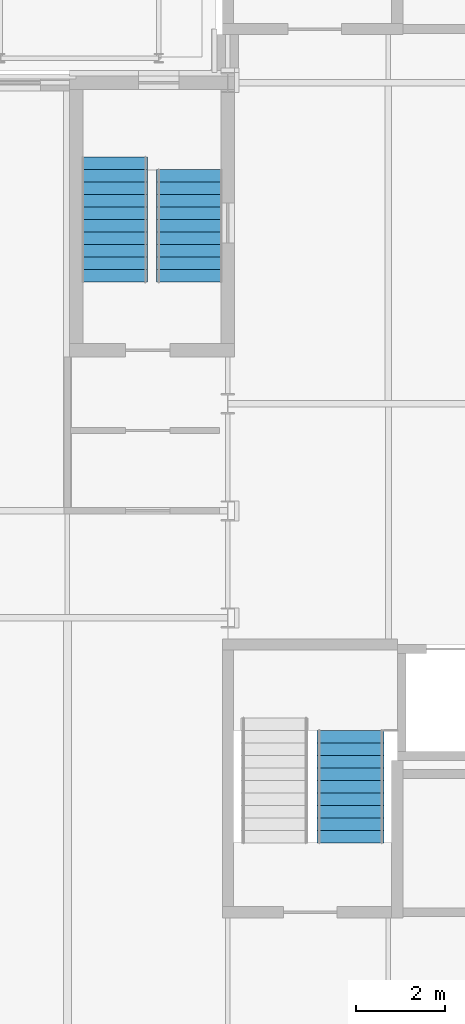
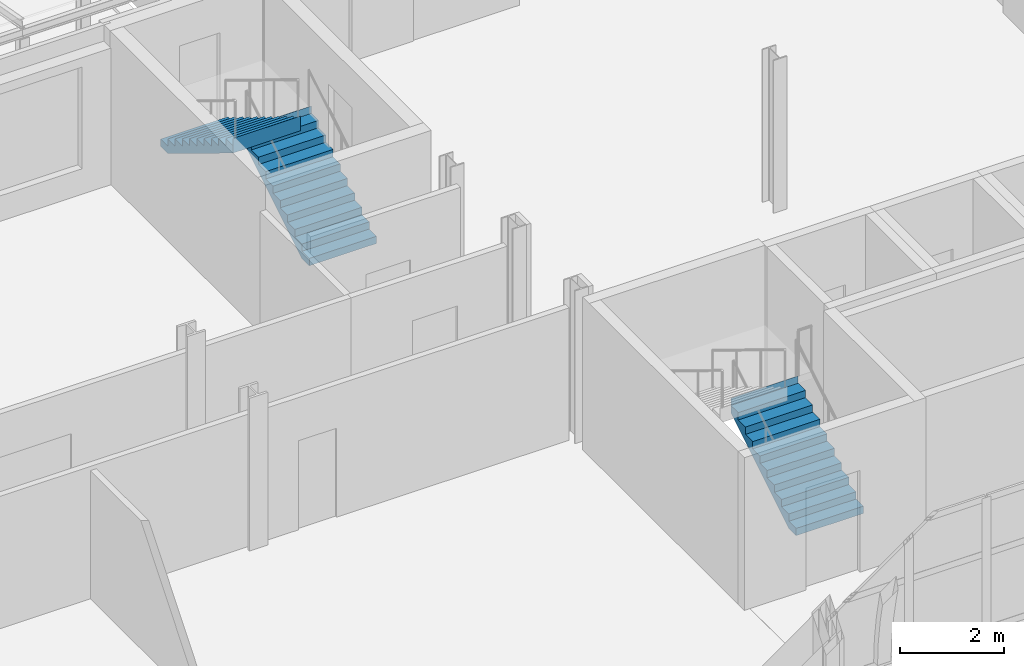
# One storey, part 101 of 143: 3 stair flights, 2 elements without a shape of their own.
"""IFC4 building model written with IfcOpenShell, lengths in metres."""

from ifc_helpers import new_model, si_unit, direction, frame, origin, place, context, subcontext, project, spatial, polyline, outline, extrude, material, type_object, element, aggregate, save


model = new_model("IFC4")

# Units and contexts
model_context = context("Model", 3, precision=1e-05, world=origin(), true_north=direction((0.0, 1.0)))
body_context = subcontext(model_context, "Body", "Model", "MODEL_VIEW")
ifc_project = project(units=[si_unit("LENGTHUNIT", "METRE"), si_unit("AREAUNIT", "SQUARE_METRE"), si_unit("VOLUMEUNIT", "CUBIC_METRE"), si_unit("PLANEANGLEUNIT", "RADIAN"), si_unit("MASSUNIT", "GRAM", prefix="KILO")], contexts=[model_context])

# Site, building, storey
site_placement = place(None, origin())
site = spatial("IfcSite", under=ifc_project, at=site_placement, CompositionType="ELEMENT")
building_placement = place(site_placement, origin())
building = spatial("IfcBuilding", under=site, at=building_placement, Name="Kupolbacken Congress Centre", CompositionType="ELEMENT")
storey_placement = place(building_placement, frame((0.0, 0.0, 7.199951171875)))
storey = spatial("IfcBuildingStorey", under=building, at=storey_placement, Name="L02", CompositionType="ELEMENT", Elevation=7.199951171875)

# Stair, stair flight
ifc_material_1 = material(Name="Steel S355", Category="steel")
stair_type = type_object("IfcStairType", Name="ST2 stair 1500", PredefinedType="TWO_STRAIGHT_RUN_STAIR", material=ifc_material_1)
stair_1_placement = place(storey_placement, origin())
stair_1 = element("IfcStair", 1, at=stair_1_placement, inside=storey, type_object=stair_type, Name="C/stair/TS4/L02", PredefinedType="NOTDEFINED")
ifc_material_2 = material(Name="Steel S355", Category="steel")
stair_flight_type_1 = type_object("IfcStairFlightType", Name="FL3 stair flight 1500 x 10 risers", PredefinedType="STRAIGHT", material=ifc_material_2)
stair_flight_1_placement = place(storey_placement, frame((135.949951171875, 139.530029296875, 0.0), z_axis=(0.0, 0.0, 1.0), x_axis=(0.0, 1.0, 0.0)))
stair_flight_1 = element("IfcStairFlight", 2, at=stair_flight_1_placement, type_object=stair_flight_type_1, Name="TS4 flight 1", NumberOfRisers=10, NumberOfTreads=9, PredefinedType="STRAIGHT", RiserHeight=0.171428571, TreadLength=0.28, context=body_context, shape_type="SweptSolid", body=[
    extrude(outline(polyline([(0.0, 0.0), (0.0, 0.0009765625), (0.0, 0.002197265625), (0.0, 0.003173828125), (0.0, 0.004150390625), (0.0, 0.00537109375), (0.0, 0.00634765625), (0.0, 0.007568359375), (0.0, 0.008544921875), (0.0, 0.009521484375), (0.0, 0.0107421875), (0.0, 0.01171875), (0.0, 0.0126953125), (0.0, 0.013916015625), (0.0, 0.014892578125), (0.0, 0.015869140625), (0.0, 0.01708984375), (0.0, 0.01806640625), (0.0, 0.019287109375), (0.0, 0.020263671875), (0.0, 0.021240234375), (0.0, 0.0224609375), (0.0, 0.0234375), (0.0, 0.0244140625), (0.0, 0.025634765625), (0.0, 0.026611328125), (0.0, 0.027587890625), (0.0, 0.02880859375), (0.0, 0.02978515625), (0.0, 0.03076171875), (0.0, 0.031982421875), (0.0, 0.032958984375), (0.0, 0.0341796875), (0.0, 0.03515625), (0.0, 0.0361328125), (0.0, 0.037353515625), (0.0, 0.038330078125), (0.0, 0.039306640625), (0.0, 0.04052734375), (0.0, 0.04150390625), (0.0, 0.04248046875), (0.0, 0.043701171875), (0.0, 0.044677734375), (0.0, 0.0458984375), (0.0, 0.046875), (0.0, 0.0478515625), (0.0, 0.049072265625), (0.0, 0.050048828125), (0.0, 0.051025390625), (0.0, 0.05224609375), (0.0, 0.05322265625), (0.0, 0.05419921875), (0.0, 0.055419921875), (0.0, 0.056396484375), (0.0, 0.0576171875), (0.0, 0.05859375), (0.0, 0.0595703125), (0.0, 0.060791015625), (0.0, 0.061767578125), (0.0, 0.062744140625), (0.0, 0.06396484375), (0.0, 0.06494140625), (0.0, 0.06591796875), (0.0, 0.067138671875), (0.0, 0.068115234375), (0.0, 0.069091796875), (0.0, 0.0703125), (0.0, 0.0712890625), (0.0, 0.072509765625), (0.0, 0.073486328125), (0.0, 0.074462890625), (0.0, 0.07568359375), (0.0, 0.07666015625), (0.0, 0.07763671875), (0.0, 0.078857421875), (0.0, 0.079833984375), (0.0, 0.080810546875), (0.0, 0.08203125), (0.0, 0.0830078125), (0.0, 0.084228515625), (0.0, 0.085205078125), (0.0, 0.086181640625), (0.0, 0.08740234375), (0.0, 0.08837890625), (0.0, 0.08935546875), (0.0, 0.090576171875), (0.0, 0.091552734375), (0.0, 0.092529296875), (0.0, 0.09375), (0.0, 0.0947265625), (0.0, 0.095947265625), (0.0, 0.096923828125), (0.0, 0.097900390625), (0.0, 0.09912109375), (0.0, 0.10009765625), (0.0, 0.10107421875), (0.0, 0.102294921875), (0.0, 0.103271484375), (0.0, 0.104248046875), (0.0, 0.10546875), (0.0, 0.1064453125), (0.0, 0.107421875), (0.0, 0.108642578125), (0.0, 0.109619140625), (0.0, 0.11083984375), (0.0, 0.11181640625), (0.0, 0.11279296875), (0.0, 0.114013671875), (0.0, 0.114990234375), (0.0, 0.115966796875), (0.0, 0.1171875), (0.0, 0.1181640625), (0.0, 0.119140625), (0.0, 0.120361328125), (0.0, 0.121337890625), (0.0, 0.12255859375), (0.0, 0.12353515625), (0.0, 0.12451171875), (0.0, 0.125732421875), (0.0, 0.126708984375), (0.0, 0.127685546875), (0.0, 0.12890625), (0.0, 0.1298828125), (0.0, 0.130859375), (0.0, 0.132080078125), (0.0, 0.133056640625), (0.0, 0.13427734375), (0.0, 0.13525390625), (0.0, 0.13623046875), (0.0, 0.137451171875), (0.0, 0.138427734375), (0.0, 0.139404296875), (0.0, 0.140625), (0.0, 0.1416015625), (0.0, 0.142578125), (0.0, 0.143798828125), (0.0, 0.144775390625), (0.0, 0.145751953125), (0.0, 0.14697265625), (0.0, 0.14794921875), (0.0, 0.149169921875), (0.0, 0.150146484375), (0.0, 0.151123046875), (0.0, 0.15234375), (0.0, 0.1533203125), (0.0, 0.154296875), (0.0, 0.155517578125), (0.0, 0.156494140625), (0.0, 0.157470703125), (0.0, 0.15869140625), (0.0, 0.15966796875), (0.0, 0.160888671875), (0.0, 0.161865234375), (0.0, 0.162841796875), (0.0, 0.1640625), (0.0, 0.1650390625), (0.0, 0.166015625), (0.0, 0.167236328125), (0.0, 0.168212890625), (0.0, 0.169189453125), (0.0, 0.17041015625), (0.0, 0.17138671875), (0.280029296875, 0.17138671875), (0.280029296875, 0.3427734375), (0.56005859375, 0.3427734375), (0.56005859375, 0.514404296875), (0.840087890625, 0.514404296875), (0.840087890625, 0.685791015625), (1.1201171875, 0.685791015625), (1.1201171875, 0.857177734375), (1.39990234375, 0.857177734375), (1.39990234375, 1.028564453125), (1.679931640625, 1.028564453125), (1.679931640625, 1.199951171875), (1.9599609375, 1.199951171875), (1.9599609375, 1.371337890625), (2.239990234375, 1.371337890625), (2.239990234375, 1.54296875), (2.52001953125, 1.54296875), (2.52001953125, 1.71435546875), (2.52197265625, 1.71435546875), (2.52197265625, 1.712158203125), (2.52197265625, 1.7099609375), (2.52197265625, 1.707763671875), (2.52197265625, 1.70556640625), (2.52197265625, 1.70361328125), (2.52197265625, 1.701416015625), (2.52197265625, 1.69921875), (2.52197265625, 1.697021484375), (2.52197265625, 1.69482421875), (2.52197265625, 1.692626953125), (2.52197265625, 1.690673828125), (2.52197265625, 1.6884765625), (2.52197265625, 1.686279296875), (2.52197265625, 1.68408203125), (2.52197265625, 1.681884765625), (2.52197265625, 1.6796875), (2.52197265625, 1.677734375), (2.52197265625, 1.675537109375), (2.52197265625, 1.67333984375), (2.52197265625, 1.671142578125), (2.52197265625, 1.6689453125), (2.52197265625, 1.666748046875), (2.52197265625, 1.664794921875), (2.52197265625, 1.66259765625), (2.52197265625, 1.660400390625), (2.52197265625, 1.658203125), (2.52197265625, 1.656005859375), (2.52197265625, 1.65380859375), (2.52197265625, 1.65185546875), (2.52197265625, 1.649658203125), (2.52197265625, 1.6474609375), (2.52197265625, 1.645263671875), (2.52197265625, 1.64306640625), (2.52197265625, 1.640869140625), (2.52197265625, 1.638916015625), (2.52197265625, 1.63671875), (2.52197265625, 1.634521484375), (2.52197265625, 1.63232421875), (2.52197265625, 1.630126953125), (2.52197265625, 1.6279296875), (2.52197265625, 1.6259765625), (2.52197265625, 1.623779296875), (2.52197265625, 1.62158203125), (2.52197265625, 1.619384765625), (2.52197265625, 1.6171875), (2.52197265625, 1.614990234375), (2.52197265625, 1.613037109375), (2.52197265625, 1.61083984375), (2.52197265625, 1.608642578125), (2.52197265625, 1.6064453125), (2.52197265625, 1.604248046875), (2.52197265625, 1.60205078125), (2.52197265625, 1.60009765625), (2.52197265625, 1.597900390625), (2.52197265625, 1.595703125), (2.52197265625, 1.593505859375), (2.52197265625, 1.59130859375), (2.52197265625, 1.589111328125), (2.52197265625, 1.587158203125), (2.52197265625, 1.5849609375), (2.52197265625, 1.582763671875), (2.52197265625, 1.58056640625), (2.52197265625, 1.578369140625), (2.52197265625, 1.576171875), (2.52197265625, 1.57421875), (2.52197265625, 1.572021484375), (2.52197265625, 1.56982421875), (2.52197265625, 1.567626953125), (2.52197265625, 1.5654296875), (2.52197265625, 1.563232421875), (2.52197265625, 1.561279296875), (2.52197265625, 1.55908203125), (2.52197265625, 1.556884765625), (2.52197265625, 1.5546875), (2.52197265625, 1.552490234375), (2.52197265625, 1.55029296875), (2.52197265625, 1.54833984375), (2.52197265625, 1.546142578125), (2.52197265625, 1.5439453125), (2.52197265625, 1.541748046875), (2.52197265625, 1.53955078125), (2.52197265625, 1.537353515625), (2.52197265625, 1.535400390625), (2.52197265625, 1.533203125), (2.52197265625, 1.531005859375), (2.52197265625, 1.52880859375), (2.52197265625, 1.526611328125), (2.52197265625, 1.5244140625), (2.52197265625, 1.5224609375), (2.52197265625, 1.520263671875), (2.52197265625, 1.51806640625), (2.52197265625, 1.515869140625), (2.52197265625, 1.513671875), (2.52197265625, 1.511474609375), (2.52197265625, 1.509521484375), (2.52197265625, 1.50732421875), (2.52197265625, 1.505126953125), (2.52197265625, 1.5029296875), (2.52197265625, 1.500732421875), (2.52197265625, 1.49853515625), (2.52197265625, 1.49658203125), (2.52197265625, 1.494384765625), (2.52197265625, 1.4921875), (2.52197265625, 1.489990234375), (2.52197265625, 1.48779296875), (2.52197265625, 1.485595703125), (2.52197265625, 1.483642578125), (2.52197265625, 1.4814453125), (2.52197265625, 1.479248046875), (2.52197265625, 1.47705078125), (2.52197265625, 1.474853515625), (2.52197265625, 1.47265625), (2.52197265625, 1.470703125), (2.52197265625, 1.468505859375), (2.52197265625, 1.46630859375), (2.52197265625, 1.464111328125), (2.52197265625, 1.4619140625), (2.52197265625, 1.459716796875), (2.52197265625, 1.457763671875), (2.52197265625, 1.45556640625), (2.52197265625, 1.453369140625), (2.52197265625, 1.451171875), (2.52197265625, 1.448974609375), (2.52197265625, 1.44677734375), (2.52197265625, 1.44482421875), (2.52197265625, 1.442626953125), (2.52197265625, 1.4404296875), (2.52197265625, 1.438232421875), (2.52197265625, 1.43603515625), (2.52197265625, 1.433837890625), (2.52197265625, 1.431884765625), (2.52197265625, 1.4296875), (2.52197265625, 1.427490234375), (2.52197265625, 1.42529296875), (2.52197265625, 1.423095703125), (2.52197265625, 1.4208984375), (2.52197265625, 1.4189453125), (2.52197265625, 1.416748046875), (2.52197265625, 1.41455078125), (2.52197265625, 1.412353515625), (2.52197265625, 1.41015625), (2.52197265625, 1.407958984375), (2.52197265625, 1.406005859375), (2.52197265625, 1.40380859375), (2.52197265625, 1.401611328125), (2.52197265625, 1.3994140625), (2.52197265625, 1.397216796875), (2.52197265625, 1.39501953125), (2.52197265625, 1.39306640625), (2.52197265625, 1.390869140625), (2.52197265625, 1.388671875), (2.52197265625, 1.386474609375), (2.52197265625, 1.38427734375), (2.52197265625, 1.382080078125), (2.52197265625, 1.380126953125), (2.52197265625, 1.3779296875), (2.52197265625, 1.375732421875), (2.52197265625, 1.37353515625), (2.52197265625, 1.371337890625), (2.52197265625, 1.369140625), (2.52197265625, 1.3671875), (0.2890625, 0.0), (0.0, 0.0)])), frame((0.0, 0.75, 0.0), z_axis=(0.0, -1.0, 0.0), x_axis=(1.0, 0.0, 0.0)), (0.0, 0.0, 1.0), 1.5),
])

stair_2_placement = place(storey_placement, origin())
stair_2 = element("IfcStair", 3, at=stair_2_placement, inside=storey, type_object=stair_type, Name="C/stair/BS1/L02", PredefinedType="NOTDEFINED")
stair_flight_2_placement = place(storey_placement, frame((139.550048828125, 126.955078125, 0.0), z_axis=(0.0, 0.0, 1.0), x_axis=(0.0, 1.0, 0.0)))
stair_flight_2 = element("IfcStairFlight", 4, at=stair_flight_2_placement, type_object=stair_flight_type_1, Name="BS1 flight 1", NumberOfRisers=10, NumberOfTreads=9, PredefinedType="STRAIGHT", RiserHeight=0.171428571, TreadLength=0.28, context=body_context, shape_type="SweptSolid", body=[
    extrude(outline(polyline([(0.0, 0.0), (0.0, 0.0009765625), (0.0, 0.002197265625), (0.0, 0.003173828125), (0.0, 0.004150390625), (0.0, 0.00537109375), (0.0, 0.00634765625), (0.0, 0.007568359375), (0.0, 0.008544921875), (0.0, 0.009521484375), (0.0, 0.0107421875), (0.0, 0.01171875), (0.0, 0.0126953125), (0.0, 0.013916015625), (0.0, 0.014892578125), (0.0, 0.015869140625), (0.0, 0.01708984375), (0.0, 0.01806640625), (0.0, 0.019287109375), (0.0, 0.020263671875), (0.0, 0.021240234375), (0.0, 0.0224609375), (0.0, 0.0234375), (0.0, 0.0244140625), (0.0, 0.025634765625), (0.0, 0.026611328125), (0.0, 0.027587890625), (0.0, 0.02880859375), (0.0, 0.02978515625), (0.0, 0.03076171875), (0.0, 0.031982421875), (0.0, 0.032958984375), (0.0, 0.0341796875), (0.0, 0.03515625), (0.0, 0.0361328125), (0.0, 0.037353515625), (0.0, 0.038330078125), (0.0, 0.039306640625), (0.0, 0.04052734375), (0.0, 0.04150390625), (0.0, 0.04248046875), (0.0, 0.043701171875), (0.0, 0.044677734375), (0.0, 0.0458984375), (0.0, 0.046875), (0.0, 0.0478515625), (0.0, 0.049072265625), (0.0, 0.050048828125), (0.0, 0.051025390625), (0.0, 0.05224609375), (0.0, 0.05322265625), (0.0, 0.05419921875), (0.0, 0.055419921875), (0.0, 0.056396484375), (0.0, 0.0576171875), (0.0, 0.05859375), (0.0, 0.0595703125), (0.0, 0.060791015625), (0.0, 0.061767578125), (0.0, 0.062744140625), (0.0, 0.06396484375), (0.0, 0.06494140625), (0.0, 0.06591796875), (0.0, 0.067138671875), (0.0, 0.068115234375), (0.0, 0.069091796875), (0.0, 0.0703125), (0.0, 0.0712890625), (0.0, 0.072509765625), (0.0, 0.073486328125), (0.0, 0.074462890625), (0.0, 0.07568359375), (0.0, 0.07666015625), (0.0, 0.07763671875), (0.0, 0.078857421875), (0.0, 0.079833984375), (0.0, 0.080810546875), (0.0, 0.08203125), (0.0, 0.0830078125), (0.0, 0.084228515625), (0.0, 0.085205078125), (0.0, 0.086181640625), (0.0, 0.08740234375), (0.0, 0.08837890625), (0.0, 0.08935546875), (0.0, 0.090576171875), (0.0, 0.091552734375), (0.0, 0.092529296875), (0.0, 0.09375), (0.0, 0.0947265625), (0.0, 0.095947265625), (0.0, 0.096923828125), (0.0, 0.097900390625), (0.0, 0.09912109375), (0.0, 0.10009765625), (0.0, 0.10107421875), (0.0, 0.102294921875), (0.0, 0.103271484375), (0.0, 0.104248046875), (0.0, 0.10546875), (0.0, 0.1064453125), (0.0, 0.107421875), (0.0, 0.108642578125), (0.0, 0.109619140625), (0.0, 0.11083984375), (0.0, 0.11181640625), (0.0, 0.11279296875), (0.0, 0.114013671875), (0.0, 0.114990234375), (0.0, 0.115966796875), (0.0, 0.1171875), (0.0, 0.1181640625), (0.0, 0.119140625), (0.0, 0.120361328125), (0.0, 0.121337890625), (0.0, 0.12255859375), (0.0, 0.12353515625), (0.0, 0.12451171875), (0.0, 0.125732421875), (0.0, 0.126708984375), (0.0, 0.127685546875), (0.0, 0.12890625), (0.0, 0.1298828125), (0.0, 0.130859375), (0.0, 0.132080078125), (0.0, 0.133056640625), (0.0, 0.13427734375), (0.0, 0.13525390625), (0.0, 0.13623046875), (0.0, 0.137451171875), (0.0, 0.138427734375), (0.0, 0.139404296875), (0.0, 0.140625), (0.0, 0.1416015625), (0.0, 0.142578125), (0.0, 0.143798828125), (0.0, 0.144775390625), (0.0, 0.145751953125), (0.0, 0.14697265625), (0.0, 0.14794921875), (0.0, 0.149169921875), (0.0, 0.150146484375), (0.0, 0.151123046875), (0.0, 0.15234375), (0.0, 0.1533203125), (0.0, 0.154296875), (0.0, 0.155517578125), (0.0, 0.156494140625), (0.0, 0.157470703125), (0.0, 0.15869140625), (0.0, 0.15966796875), (0.0, 0.160888671875), (0.0, 0.161865234375), (0.0, 0.162841796875), (0.0, 0.1640625), (0.0, 0.1650390625), (0.0, 0.166015625), (0.0, 0.167236328125), (0.0, 0.168212890625), (0.0, 0.169189453125), (0.0, 0.17041015625), (0.0, 0.17138671875), (0.280029296875, 0.17138671875), (0.280029296875, 0.3427734375), (0.56005859375, 0.3427734375), (0.56005859375, 0.514404296875), (0.840087890625, 0.514404296875), (0.840087890625, 0.685791015625), (1.1201171875, 0.685791015625), (1.1201171875, 0.857177734375), (1.39990234375, 0.857177734375), (1.39990234375, 1.028564453125), (1.679931640625, 1.028564453125), (1.679931640625, 1.199951171875), (1.9599609375, 1.199951171875), (1.9599609375, 1.371337890625), (2.239990234375, 1.371337890625), (2.239990234375, 1.54296875), (2.52001953125, 1.54296875), (2.52001953125, 1.71435546875), (2.52197265625, 1.71435546875), (2.52197265625, 1.712158203125), (2.52197265625, 1.7099609375), (2.52197265625, 1.707763671875), (2.52197265625, 1.70556640625), (2.52197265625, 1.70361328125), (2.52197265625, 1.701416015625), (2.52197265625, 1.69921875), (2.52197265625, 1.697021484375), (2.52197265625, 1.69482421875), (2.52197265625, 1.692626953125), (2.52197265625, 1.690673828125), (2.52197265625, 1.6884765625), (2.52197265625, 1.686279296875), (2.52197265625, 1.68408203125), (2.52197265625, 1.681884765625), (2.52197265625, 1.6796875), (2.52197265625, 1.677734375), (2.52197265625, 1.675537109375), (2.52197265625, 1.67333984375), (2.52197265625, 1.671142578125), (2.52197265625, 1.6689453125), (2.52197265625, 1.666748046875), (2.52197265625, 1.664794921875), (2.52197265625, 1.66259765625), (2.52197265625, 1.660400390625), (2.52197265625, 1.658203125), (2.52197265625, 1.656005859375), (2.52197265625, 1.65380859375), (2.52197265625, 1.65185546875), (2.52197265625, 1.649658203125), (2.52197265625, 1.6474609375), (2.52197265625, 1.645263671875), (2.52197265625, 1.64306640625), (2.52197265625, 1.640869140625), (2.52197265625, 1.638916015625), (2.52197265625, 1.63671875), (2.52197265625, 1.634521484375), (2.52197265625, 1.63232421875), (2.52197265625, 1.630126953125), (2.52197265625, 1.6279296875), (2.52197265625, 1.6259765625), (2.52197265625, 1.623779296875), (2.52197265625, 1.62158203125), (2.52197265625, 1.619384765625), (2.52197265625, 1.6171875), (2.52197265625, 1.614990234375), (2.52197265625, 1.613037109375), (2.52197265625, 1.61083984375), (2.52197265625, 1.608642578125), (2.52197265625, 1.6064453125), (2.52197265625, 1.604248046875), (2.52197265625, 1.60205078125), (2.52197265625, 1.60009765625), (2.52197265625, 1.597900390625), (2.52197265625, 1.595703125), (2.52197265625, 1.593505859375), (2.52197265625, 1.59130859375), (2.52197265625, 1.589111328125), (2.52197265625, 1.587158203125), (2.52197265625, 1.5849609375), (2.52197265625, 1.582763671875), (2.52197265625, 1.58056640625), (2.52197265625, 1.578369140625), (2.52197265625, 1.576171875), (2.52197265625, 1.57421875), (2.52197265625, 1.572021484375), (2.52197265625, 1.56982421875), (2.52197265625, 1.567626953125), (2.52197265625, 1.5654296875), (2.52197265625, 1.563232421875), (2.52197265625, 1.561279296875), (2.52197265625, 1.55908203125), (2.52197265625, 1.556884765625), (2.52197265625, 1.5546875), (2.52197265625, 1.552490234375), (2.52197265625, 1.55029296875), (2.52197265625, 1.54833984375), (2.52197265625, 1.546142578125), (2.52197265625, 1.5439453125), (2.52197265625, 1.541748046875), (2.52197265625, 1.53955078125), (2.52197265625, 1.537353515625), (2.52197265625, 1.535400390625), (2.52197265625, 1.533203125), (2.52197265625, 1.531005859375), (2.52197265625, 1.52880859375), (2.52197265625, 1.526611328125), (2.52197265625, 1.5244140625), (2.52197265625, 1.5224609375), (2.52197265625, 1.520263671875), (2.52197265625, 1.51806640625), (2.52197265625, 1.515869140625), (2.52197265625, 1.513671875), (2.52197265625, 1.511474609375), (2.52197265625, 1.509521484375), (2.52197265625, 1.50732421875), (2.52197265625, 1.505126953125), (2.52197265625, 1.5029296875), (2.52197265625, 1.500732421875), (2.52197265625, 1.49853515625), (2.52197265625, 1.49658203125), (2.52197265625, 1.494384765625), (2.52197265625, 1.4921875), (2.52197265625, 1.489990234375), (2.52197265625, 1.48779296875), (2.52197265625, 1.485595703125), (2.52197265625, 1.483642578125), (2.52197265625, 1.4814453125), (2.52197265625, 1.479248046875), (2.52197265625, 1.47705078125), (2.52197265625, 1.474853515625), (2.52197265625, 1.47265625), (2.52197265625, 1.470703125), (2.52197265625, 1.468505859375), (2.52197265625, 1.46630859375), (2.52197265625, 1.464111328125), (2.52197265625, 1.4619140625), (2.52197265625, 1.459716796875), (2.52197265625, 1.457763671875), (2.52197265625, 1.45556640625), (2.52197265625, 1.453369140625), (2.52197265625, 1.451171875), (2.52197265625, 1.448974609375), (2.52197265625, 1.44677734375), (2.52197265625, 1.44482421875), (2.52197265625, 1.442626953125), (2.52197265625, 1.4404296875), (2.52197265625, 1.438232421875), (2.52197265625, 1.43603515625), (2.52197265625, 1.433837890625), (2.52197265625, 1.431884765625), (2.52197265625, 1.4296875), (2.52197265625, 1.427490234375), (2.52197265625, 1.42529296875), (2.52197265625, 1.423095703125), (2.52197265625, 1.4208984375), (2.52197265625, 1.4189453125), (2.52197265625, 1.416748046875), (2.52197265625, 1.41455078125), (2.52197265625, 1.412353515625), (2.52197265625, 1.41015625), (2.52197265625, 1.407958984375), (2.52197265625, 1.406005859375), (2.52197265625, 1.40380859375), (2.52197265625, 1.401611328125), (2.52197265625, 1.3994140625), (2.52197265625, 1.397216796875), (2.52197265625, 1.39501953125), (2.52197265625, 1.39306640625), (2.52197265625, 1.390869140625), (2.52197265625, 1.388671875), (2.52197265625, 1.386474609375), (2.52197265625, 1.38427734375), (2.52197265625, 1.382080078125), (2.52197265625, 1.380126953125), (2.52197265625, 1.3779296875), (2.52197265625, 1.375732421875), (2.52197265625, 1.37353515625), (2.52197265625, 1.371337890625), (2.52197265625, 1.369140625), (2.52197265625, 1.3671875), (0.2890625, 0.0), (0.0, 0.0)])), frame((0.0, 0.75, 0.0), z_axis=(0.0, -1.0, 0.0), x_axis=(1.0, 0.0, 0.0)), (0.0, 0.0, 1.0), 1.5),
])
aggregate(stair_2, [stair_flight_2])

# Stair flight
ifc_material_3 = material(Name="Steel S355", Category="steel")
stair_flight_type_2 = type_object("IfcStairFlightType", Name="FL4 stair flight 1500 x 11 risers", PredefinedType="STRAIGHT", material=ifc_material_3)
stair_flight_3_placement = place(storey_placement, frame((134.25, 142.330078125, 1.71435546875), z_axis=(0.0, 0.0, 1.0), x_axis=(0.0, -1.0, 0.0)))
stair_flight_3 = element("IfcStairFlight", 5, at=stair_flight_3_placement, type_object=stair_flight_type_2, Name="TS4 flight 2", NumberOfRisers=11, NumberOfTreads=10, PredefinedType="STRAIGHT", RiserHeight=0.171428571, TreadLength=0.28, context=body_context, shape_type="SweptSolid", body=[
    extrude(outline(polyline([(0.0, 0.0), (0.0, 0.0009765625), (0.0, 0.002197265625), (0.0, 0.003173828125), (0.0, 0.004150390625), (0.0, 0.00537109375), (0.0, 0.00634765625), (0.0, 0.007568359375), (0.0, 0.008544921875), (0.0, 0.009521484375), (0.0, 0.0107421875), (0.0, 0.01171875), (0.0, 0.0126953125), (0.0, 0.013916015625), (0.0, 0.014892578125), (0.0, 0.015869140625), (0.0, 0.01708984375), (0.0, 0.01806640625), (0.0, 0.019287109375), (0.0, 0.020263671875), (0.0, 0.021240234375), (0.0, 0.0224609375), (0.0, 0.0234375), (0.0, 0.0244140625), (0.0, 0.025634765625), (0.0, 0.026611328125), (0.0, 0.027587890625), (0.0, 0.02880859375), (0.0, 0.02978515625), (0.0, 0.03076171875), (0.0, 0.031982421875), (0.0, 0.032958984375), (0.0, 0.0341796875), (0.0, 0.03515625), (0.0, 0.0361328125), (0.0, 0.037353515625), (0.0, 0.038330078125), (0.0, 0.039306640625), (0.0, 0.04052734375), (0.0, 0.04150390625), (0.0, 0.04248046875), (0.0, 0.043701171875), (0.0, 0.044677734375), (0.0, 0.0458984375), (0.0, 0.046875), (0.0, 0.0478515625), (0.0, 0.049072265625), (0.0, 0.050048828125), (0.0, 0.051025390625), (0.0, 0.05224609375), (0.0, 0.05322265625), (0.0, 0.05419921875), (0.0, 0.055419921875), (0.0, 0.056396484375), (0.0, 0.0576171875), (0.0, 0.05859375), (0.0, 0.0595703125), (0.0, 0.060791015625), (0.0, 0.061767578125), (0.0, 0.062744140625), (0.0, 0.06396484375), (0.0, 0.06494140625), (0.0, 0.06591796875), (0.0, 0.067138671875), (0.0, 0.068115234375), (0.0, 0.069091796875), (0.0, 0.0703125), (0.0, 0.0712890625), (0.0, 0.072509765625), (0.0, 0.073486328125), (0.0, 0.074462890625), (0.0, 0.07568359375), (0.0, 0.07666015625), (0.0, 0.07763671875), (0.0, 0.078857421875), (0.0, 0.079833984375), (0.0, 0.080810546875), (0.0, 0.08203125), (0.0, 0.0830078125), (0.0, 0.084228515625), (0.0, 0.085205078125), (0.0, 0.086181640625), (0.0, 0.08740234375), (0.0, 0.08837890625), (0.0, 0.08935546875), (0.0, 0.090576171875), (0.0, 0.091552734375), (0.0, 0.092529296875), (0.0, 0.09375), (0.0, 0.0947265625), (0.0, 0.095947265625), (0.0, 0.096923828125), (0.0, 0.097900390625), (0.0, 0.09912109375), (0.0, 0.10009765625), (0.0, 0.10107421875), (0.0, 0.102294921875), (0.0, 0.103271484375), (0.0, 0.104248046875), (0.0, 0.10546875), (0.0, 0.1064453125), (0.0, 0.107421875), (0.0, 0.108642578125), (0.0, 0.109619140625), (0.0, 0.11083984375), (0.0, 0.11181640625), (0.0, 0.11279296875), (0.0, 0.114013671875), (0.0, 0.114990234375), (0.0, 0.115966796875), (0.0, 0.1171875), (0.0, 0.1181640625), (0.0, 0.119140625), (0.0, 0.120361328125), (0.0, 0.121337890625), (0.0, 0.12255859375), (0.0, 0.12353515625), (0.0, 0.12451171875), (0.0, 0.125732421875), (0.0, 0.126708984375), (0.0, 0.127685546875), (0.0, 0.12890625), (0.0, 0.1298828125), (0.0, 0.130859375), (0.0, 0.132080078125), (0.0, 0.133056640625), (0.0, 0.13427734375), (0.0, 0.13525390625), (0.0, 0.13623046875), (0.0, 0.137451171875), (0.0, 0.138427734375), (0.0, 0.139404296875), (0.0, 0.140625), (0.0, 0.1416015625), (0.0, 0.142578125), (0.0, 0.143798828125), (0.0, 0.144775390625), (0.0, 0.145751953125), (0.0, 0.14697265625), (0.0, 0.14794921875), (0.0, 0.149169921875), (0.0, 0.150146484375), (0.0, 0.151123046875), (0.0, 0.15234375), (0.0, 0.1533203125), (0.0, 0.154296875), (0.0, 0.155517578125), (0.0, 0.156494140625), (0.0, 0.157470703125), (0.0, 0.15869140625), (0.0, 0.15966796875), (0.0, 0.160888671875), (0.0, 0.161865234375), (0.0, 0.162841796875), (0.0, 0.1640625), (0.0, 0.1650390625), (0.0, 0.166015625), (0.0, 0.167236328125), (0.0, 0.168212890625), (0.0, 0.169189453125), (0.0, 0.17041015625), (0.0, 0.17138671875), (0.280029296875, 0.17138671875), (0.280029296875, 0.3427734375), (0.56005859375, 0.3427734375), (0.56005859375, 0.514404296875), (0.840087890625, 0.514404296875), (0.840087890625, 0.685791015625), (1.1201171875, 0.685791015625), (1.1201171875, 0.857177734375), (1.39990234375, 0.857177734375), (1.39990234375, 1.028564453125), (1.679931640625, 1.028564453125), (1.679931640625, 1.199951171875), (1.9599609375, 1.199951171875), (1.9599609375, 1.371337890625), (2.239990234375, 1.371337890625), (2.239990234375, 1.54296875), (2.52001953125, 1.54296875), (2.52001953125, 1.71435546875), (2.800048828125, 1.71435546875), (2.800048828125, 1.8857421875), (2.802001953125, 1.8857421875), (2.802001953125, 1.883544921875), (2.802001953125, 1.88134765625), (2.802001953125, 1.879150390625), (2.802001953125, 1.877197265625), (2.802001953125, 1.875), (2.802001953125, 1.872802734375), (2.802001953125, 1.87060546875), (2.802001953125, 1.868408203125), (2.802001953125, 1.8662109375), (2.802001953125, 1.8642578125), (2.802001953125, 1.862060546875), (2.802001953125, 1.85986328125), (2.802001953125, 1.857666015625), (2.802001953125, 1.85546875), (2.802001953125, 1.853271484375), (2.802001953125, 1.851318359375), (2.802001953125, 1.84912109375), (2.802001953125, 1.846923828125), (2.802001953125, 1.8447265625), (2.802001953125, 1.842529296875), (2.802001953125, 1.84033203125), (2.802001953125, 1.83837890625), (2.802001953125, 1.836181640625), (2.802001953125, 1.833984375), (2.802001953125, 1.831787109375), (2.802001953125, 1.82958984375), (2.802001953125, 1.827392578125), (2.802001953125, 1.825439453125), (2.802001953125, 1.8232421875), (2.802001953125, 1.821044921875), (2.802001953125, 1.81884765625), (2.802001953125, 1.816650390625), (2.802001953125, 1.814453125), (2.802001953125, 1.8125), (2.802001953125, 1.810302734375), (2.802001953125, 1.80810546875), (2.802001953125, 1.805908203125), (2.802001953125, 1.8037109375), (2.802001953125, 1.801513671875), (2.802001953125, 1.799560546875), (2.802001953125, 1.79736328125), (2.802001953125, 1.795166015625), (2.802001953125, 1.79296875), (2.802001953125, 1.790771484375), (2.802001953125, 1.78857421875), (2.802001953125, 1.78662109375), (2.802001953125, 1.784423828125), (2.802001953125, 1.7822265625), (2.802001953125, 1.780029296875), (2.802001953125, 1.77783203125), (2.802001953125, 1.775634765625), (2.802001953125, 1.773681640625), (2.802001953125, 1.771484375), (2.802001953125, 1.769287109375), (2.802001953125, 1.76708984375), (2.802001953125, 1.764892578125), (2.802001953125, 1.7626953125), (2.802001953125, 1.7607421875), (2.802001953125, 1.758544921875), (2.802001953125, 1.75634765625), (2.802001953125, 1.754150390625), (2.802001953125, 1.751953125), (2.802001953125, 1.749755859375), (2.802001953125, 1.747802734375), (2.802001953125, 1.74560546875), (2.802001953125, 1.743408203125), (2.802001953125, 1.7412109375), (2.802001953125, 1.739013671875), (2.802001953125, 1.73681640625), (2.802001953125, 1.73486328125), (2.802001953125, 1.732666015625), (2.802001953125, 1.73046875), (2.802001953125, 1.728271484375), (2.802001953125, 1.72607421875), (2.802001953125, 1.723876953125), (2.802001953125, 1.721923828125), (2.802001953125, 1.7197265625), (2.802001953125, 1.717529296875), (2.802001953125, 1.71533203125), (2.802001953125, 1.713134765625), (2.802001953125, 1.7109375), (2.802001953125, 1.708984375), (2.802001953125, 1.706787109375), (2.802001953125, 1.70458984375), (2.802001953125, 1.702392578125), (2.802001953125, 1.7001953125), (2.802001953125, 1.697998046875), (2.802001953125, 1.696044921875), (2.802001953125, 1.69384765625), (2.802001953125, 1.691650390625), (2.802001953125, 1.689453125), (2.802001953125, 1.687255859375), (2.802001953125, 1.68505859375), (2.802001953125, 1.68310546875), (2.802001953125, 1.680908203125), (2.802001953125, 1.6787109375), (2.802001953125, 1.676513671875), (2.802001953125, 1.67431640625), (2.802001953125, 1.672119140625), (2.802001953125, 1.670166015625), (2.802001953125, 1.66796875), (2.802001953125, 1.665771484375), (2.802001953125, 1.66357421875), (2.802001953125, 1.661376953125), (2.802001953125, 1.6591796875), (2.802001953125, 1.6572265625), (2.802001953125, 1.655029296875), (2.802001953125, 1.65283203125), (2.802001953125, 1.650634765625), (2.802001953125, 1.6484375), (2.802001953125, 1.646240234375), (2.802001953125, 1.644287109375), (2.802001953125, 1.64208984375), (2.802001953125, 1.639892578125), (2.802001953125, 1.6376953125), (2.802001953125, 1.635498046875), (2.802001953125, 1.63330078125), (2.802001953125, 1.63134765625), (2.802001953125, 1.629150390625), (2.802001953125, 1.626953125), (2.802001953125, 1.624755859375), (2.802001953125, 1.62255859375), (2.802001953125, 1.620361328125), (2.802001953125, 1.618408203125), (2.802001953125, 1.6162109375), (2.802001953125, 1.614013671875), (2.802001953125, 1.61181640625), (2.802001953125, 1.609619140625), (2.802001953125, 1.607421875), (2.802001953125, 1.60546875), (2.802001953125, 1.603271484375), (2.802001953125, 1.60107421875), (2.802001953125, 1.598876953125), (2.802001953125, 1.5966796875), (2.802001953125, 1.594482421875), (2.802001953125, 1.592529296875), (2.802001953125, 1.59033203125), (2.802001953125, 1.588134765625), (2.802001953125, 1.5859375), (2.802001953125, 1.583740234375), (2.802001953125, 1.58154296875), (2.802001953125, 1.57958984375), (2.802001953125, 1.577392578125), (2.802001953125, 1.5751953125), (2.802001953125, 1.572998046875), (2.802001953125, 1.57080078125), (2.802001953125, 1.568603515625), (2.802001953125, 1.566650390625), (2.802001953125, 1.564453125), (2.802001953125, 1.562255859375), (2.802001953125, 1.56005859375), (2.802001953125, 1.557861328125), (2.802001953125, 1.5556640625), (2.802001953125, 1.5537109375), (2.802001953125, 1.551513671875), (2.802001953125, 1.54931640625), (2.802001953125, 1.547119140625), (2.802001953125, 1.544921875), (2.802001953125, 1.542724609375), (2.802001953125, 1.540771484375), (2.802001953125, 1.53857421875), (0.2890625, 0.0), (0.0, 0.0)])), frame((0.0, 0.75, 0.0), z_axis=(0.0, -1.0, 0.0), x_axis=(1.0, 0.0, 0.0)), (0.0, 0.0, 1.0), 1.5),
])

aggregate(stair_1, [stair_flight_1, stair_flight_3])

save(model, "model.ifc")
